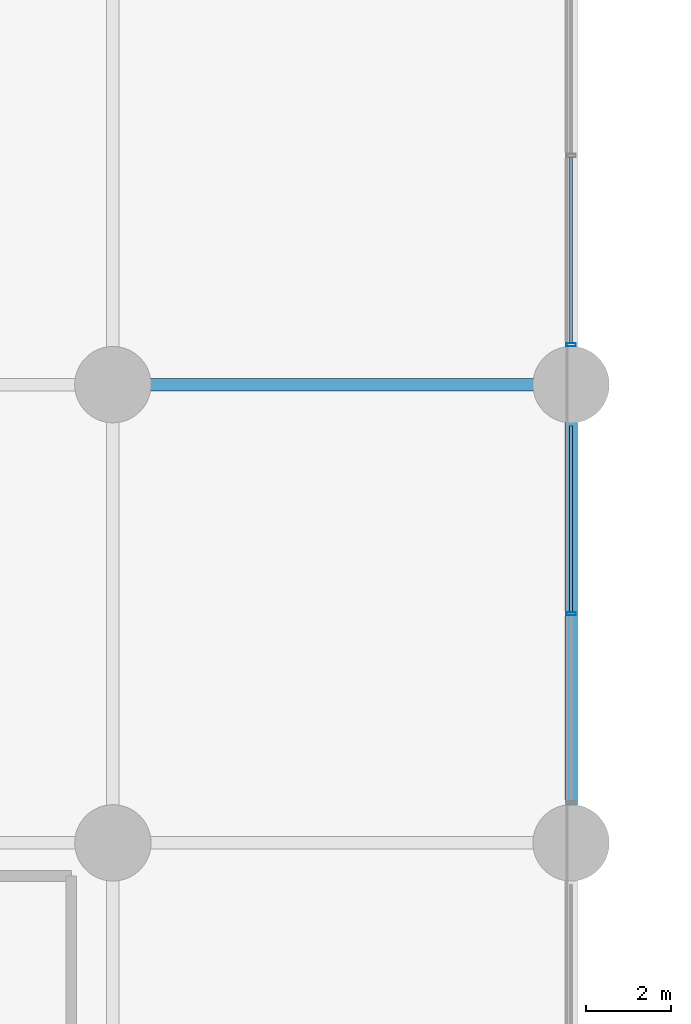
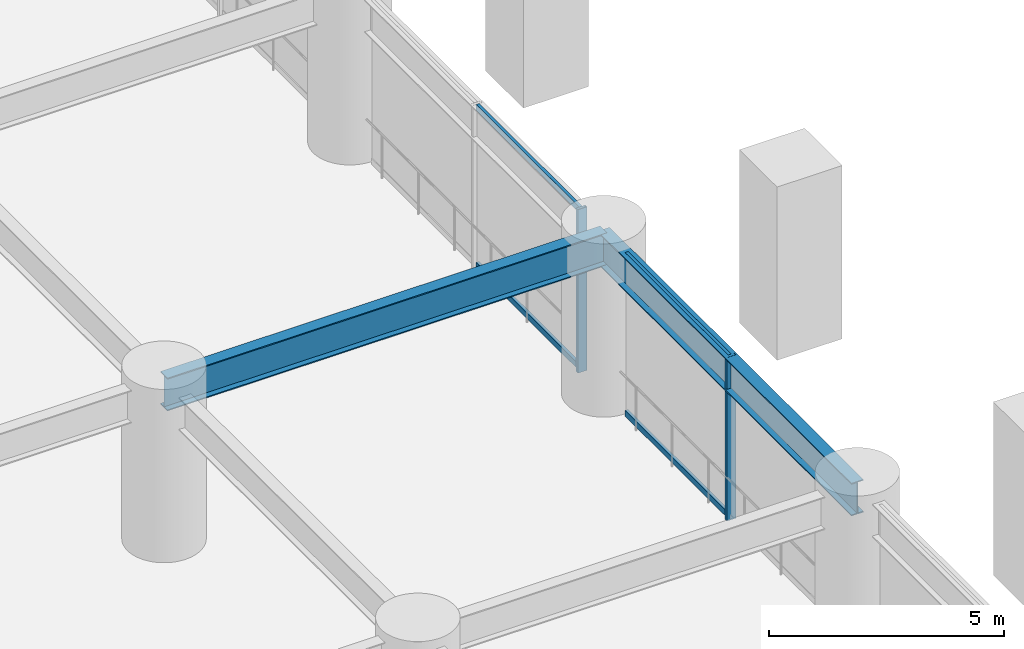
# One storey, part 19 of 31: 6 members, 2 beams, 1 element without a shape of its own.
"""IFC4 building model written with IfcOpenShell, lengths in metres."""

from ifc_helpers import new_model, si_unit, direction, frame, origin, origin_2d, place, context, subcontext, project, spatial, hollow_rectangle, i_section, extrude, material, layer, layer_set, material_profile, profile_set, type_object, element, aggregate, save


model = new_model("IFC4")

# Units and contexts
model_context = context("Model", 3, precision=1e-05, world=origin(), true_north=direction((0.0, 1.0)))
body_context = subcontext(model_context, "Body", "Model", "MODEL_VIEW")
ifc_project = project(units=[si_unit("LENGTHUNIT", "METRE"), si_unit("AREAUNIT", "SQUARE_METRE"), si_unit("VOLUMEUNIT", "CUBIC_METRE"), si_unit("PLANEANGLEUNIT", "RADIAN"), si_unit("MASSUNIT", "GRAM", prefix="KILO")], contexts=[model_context])

# Site, building, storey
site_placement = place(None, origin())
site = spatial("IfcSite", under=ifc_project, at=site_placement, CompositionType="ELEMENT")
building_placement = place(site_placement, origin())
building = spatial("IfcBuilding", under=site, at=building_placement, Name="Surkhivell Harbour Commons", CompositionType="ELEMENT")
storey_placement = place(building_placement, frame((0.0, 0.0, 4.5)))
storey = spatial("IfcBuildingStorey", under=building, at=storey_placement, Name="L01", CompositionType="ELEMENT", Elevation=4.5)

# Beams
ifc_material_1 = material(Name="Steel S460", Category="steel")
ifc_material_profile_1 = material_profile(ifc_material_1, i_section(OverallWidth=0.2939453125, OverallDepth=0.85107421875, WebThickness=0.01611328125, FlangeThickness=0.02685546875, at=origin_2d()), Name="UB838x292x226")
ifc_profile_set_1 = profile_set([ifc_material_profile_1], Name="Steel S460")
beam_type = type_object("IfcBeamType", Name="BM-SPN-838", PredefinedType="SPANDREL", material=ifc_profile_set_1)
beam_1_placement = place(storey_placement, frame((21.60009765625, 0.0, 3.824462890625), z_axis=(1.0, 0.0, 0.0), x_axis=(0.0, 1.0, 0.0)))
element("IfcBeam", 1, at=beam_1_placement, inside=storey, type_object=beam_type, Name="L01 Framing Beam (21.6,0.0)", PredefinedType="SPANDREL", context=body_context, shape_type="SweptSolid", body=[
    extrude(i_section(OverallWidth=0.2939453125, OverallDepth=0.85107421875, WebThickness=0.01611328125, FlangeThickness=0.02685546875, at=origin_2d()), origin(), (0.0, 0.0, 1.0), 10.7998046875),
])
beam_2_placement = place(storey_placement, frame((32.39990234375, -10.800048828125, 3.824462890625), z_axis=(0.0, 1.0, 0.0), x_axis=(-1.0, 0.0, 0.0)))
element("IfcBeam", 2, at=beam_2_placement, inside=storey, type_object=beam_type, Name="L01 Framing Beam (32.4,-10.8)", PredefinedType="SPANDREL", context=body_context, shape_type="SweptSolid", body=[
    extrude(i_section(OverallWidth=0.2939453125, OverallDepth=0.85107421875, WebThickness=0.01611328125, FlangeThickness=0.02685546875, at=origin_2d()), origin(), (0.0, 0.0, 1.0), 10.800048828125),
])

# Curtain wall, members
ifc_material_2 = material(Name="Anodised pale-metal aluminium and insulated glazing", Category="aluminium")
ifc_layer = layer(ifc_material_2, 0.239990234375)
ifc_layer_set = layer_set([ifc_layer], Name="Anodised pale-metal aluminium and insulated glazing")
curtain_wall_type = type_object("IfcCurtainWallType", Name="CW-SYS-POD", PredefinedType="NOTDEFINED", material=ifc_layer_set)
curtain_wall_placement = place(storey_placement, origin())
curtain_wall = element("IfcCurtainWall", 3, at=curtain_wall_placement, inside=storey, type_object=curtain_wall_type, Name="L01 Curtain Wall CW-L01-P02", PredefinedType="NOTDEFINED")
ifc_material_3 = material(Name="Anodised pale-metal aluminium alloy 6063-T6", Category="aluminium")
ifc_material_profile_2 = material_profile(ifc_material_3, hollow_rectangle(XDim=0.074951171875, YDim=0.219970703125, WallThickness=0.00390625, at=origin_2d()), Name="ALU-MULL-75x220")
ifc_profile_set_2 = profile_set([ifc_material_profile_2], Name="Anodised pale-metal aluminium alloy 6063-T6")
member_type_1 = type_object("IfcMemberType", Name="CWM-220", PredefinedType="MULLION", material=ifc_profile_set_2)
member_1_placement = place(storey_placement, frame((32.39990234375, -5.39990234375, 0.0), z_axis=(0.0, 0.0, 1.0), x_axis=(0.0, 1.0, 0.0)))
member_1 = element("IfcMember", 4, at=member_1_placement, type_object=member_type_1, Name="CW-POD mullion 4", PredefinedType="MULLION", context=body_context, shape_type="SweptSolid", body=[
    extrude(hollow_rectangle(XDim=0.074951171875, YDim=0.219970703125, WallThickness=0.00390625, at=origin_2d()), origin(), (0.0, 0.0, 1.0), 4.25),
])
member_2_placement = place(storey_placement, frame((32.39990234375, 0.939453125, 0.0), z_axis=(0.0, 0.0, 1.0), x_axis=(0.0, 1.0, 0.0)))
member_2 = element("IfcMember", 5, at=member_2_placement, type_object=member_type_1, Name="CW-POD mullion 5", PredefinedType="MULLION", context=body_context, shape_type="SweptSolid", body=[
    extrude(hollow_rectangle(XDim=0.074951171875, YDim=0.219970703125, WallThickness=0.00390625, at=origin_2d()), origin(), (0.0, 0.0, 1.0), 4.25),
])
ifc_material_profile_3 = material_profile(ifc_material_3, hollow_rectangle(XDim=0.074951171875, YDim=0.14990234375, WallThickness=0.00341796875, at=origin_2d()), Name="ALU-TRAN-75x150")
ifc_profile_set_3 = profile_set([ifc_material_profile_3], Name="Anodised pale-metal aluminium alloy 6063-T6")
member_type_2 = type_object("IfcMemberType", Name="CWT-150", PredefinedType="USERDEFINED", material=ifc_profile_set_3)
member_3_placement = place(storey_placement, frame((32.39990234375, -5.362548828125, 0.074951171875), z_axis=(0.0, 1.0, 0.0), x_axis=(-1.0, 0.0, 0.0)))
member_3 = element("IfcMember", 6, at=member_3_placement, type_object=member_type_2, Name="CW-POD transom 4.1", ObjectType="TRANSOM", PredefinedType="USERDEFINED", context=body_context, shape_type="SweptSolid", body=[
    extrude(hollow_rectangle(XDim=0.074951171875, YDim=0.14990234375, WallThickness=0.00341796875, at=origin_2d()), origin(), (0.0, 0.0, 1.0), 4.385498046875),
])
member_4_placement = place(storey_placement, frame((32.39990234375, -5.362548828125, 4.175048828125), z_axis=(0.0, 1.0, 0.0), x_axis=(-1.0, 0.0, 0.0)))
member_4 = element("IfcMember", 7, at=member_4_placement, type_object=member_type_2, Name="CW-POD transom 4.2", ObjectType="TRANSOM", PredefinedType="USERDEFINED", context=body_context, shape_type="SweptSolid", body=[
    extrude(hollow_rectangle(XDim=0.074951171875, YDim=0.14990234375, WallThickness=0.00341796875, at=origin_2d()), origin(), (0.0, 0.0, 1.0), 4.385498046875),
])
member_5_placement = place(storey_placement, frame((32.39990234375, 0.97705078125, 0.074951171875), z_axis=(0.0, 1.0, 0.0), x_axis=(-1.0, 0.0, 0.0)))
member_5 = element("IfcMember", 8, at=member_5_placement, type_object=member_type_2, Name="CW-POD transom 5.1", ObjectType="TRANSOM", PredefinedType="USERDEFINED", context=body_context, shape_type="SweptSolid", body=[
    extrude(hollow_rectangle(XDim=0.074951171875, YDim=0.14990234375, WallThickness=0.00341796875, at=origin_2d()), origin(), (0.0, 0.0, 1.0), 4.385498046875),
])
member_6_placement = place(storey_placement, frame((32.39990234375, 0.97705078125, 4.175048828125), z_axis=(0.0, 1.0, 0.0), x_axis=(-1.0, 0.0, 0.0)))
member_6 = element("IfcMember", 9, at=member_6_placement, type_object=member_type_2, Name="CW-POD transom 5.2", ObjectType="TRANSOM", PredefinedType="USERDEFINED", context=body_context, shape_type="SweptSolid", body=[
    extrude(hollow_rectangle(XDim=0.074951171875, YDim=0.14990234375, WallThickness=0.00341796875, at=origin_2d()), origin(), (0.0, 0.0, 1.0), 4.385498046875),
])
aggregate(curtain_wall, [member_1, member_3, member_4, member_2, member_5, member_6])

save(model, "model.ifc")
